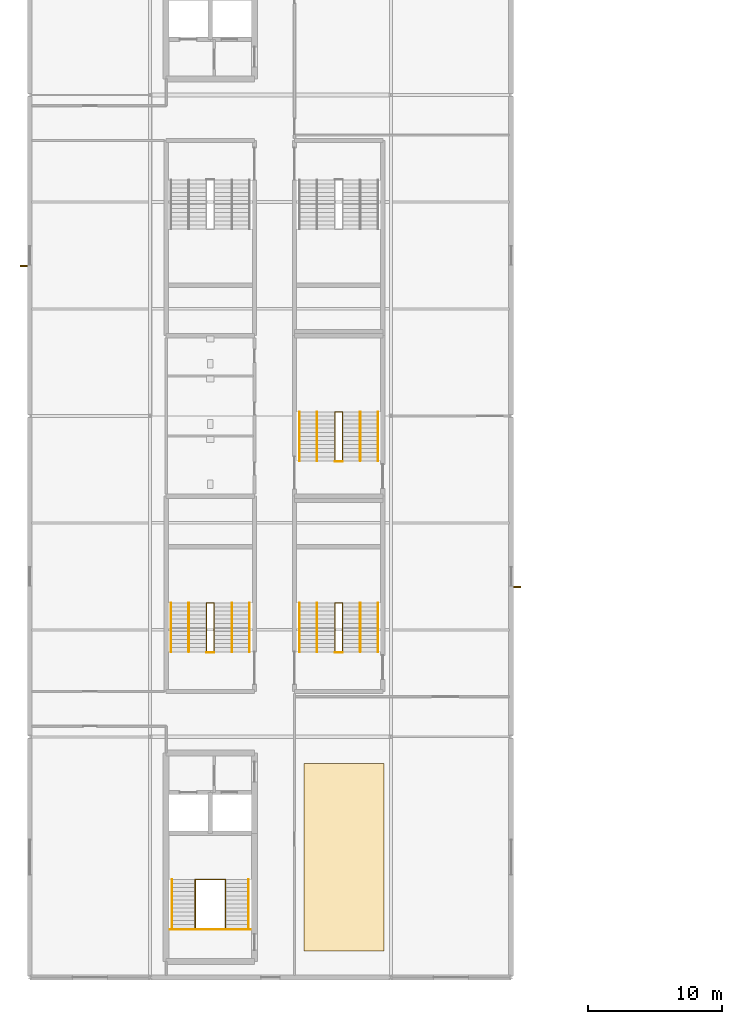
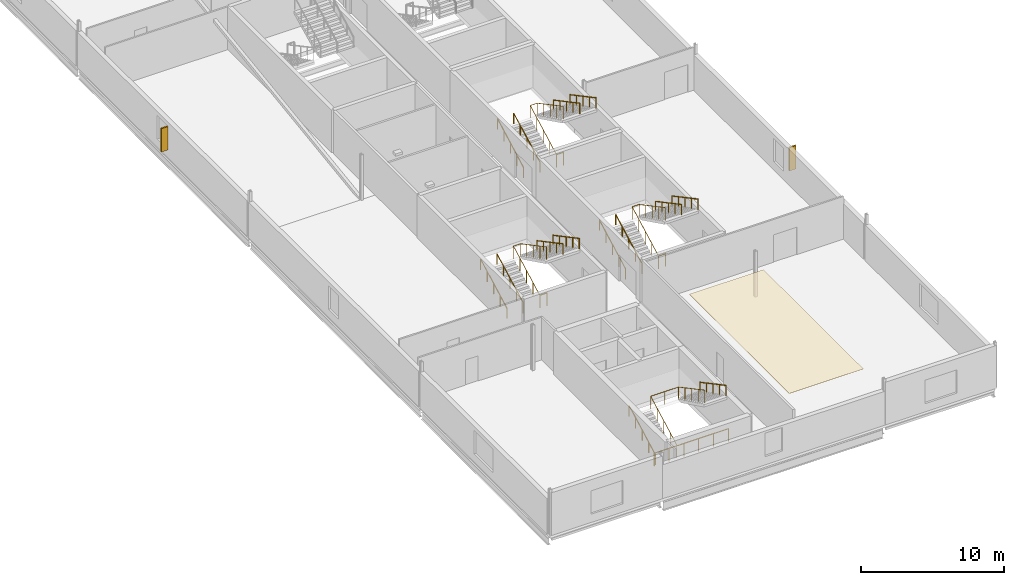
# One storey, part 31 of 35: 22 railings, 2 shading devices, 1 covering.
"""IFC4 building model written with IfcOpenShell, lengths in metres."""

import ifcopenshell
import ifcopenshell.guid

model = None  # the IFC model being written
_history = None  # IfcOwnerHistory: only IFC2X3 demands one
_inside = {}  # id of a spatial element -> (the spatial element, [elements in it])
_under = {}  # id of a project, library or spatial element -> (it, [spatial elements below it])
_declared = {}  # id of a project -> (the project, [libraries it declares])
_typed = {}  # id of a type object -> (the type object, [elements of that type])
_made_of = {}  # id of a material, layer set ... -> (it, [elements and type objects made of it])


def new_model(schema):
    """Start an empty IFC model of exactly this schema.

    Asked for "IFC4X3", IfcOpenShell would pick the latest addendum, in which some entities
    have other attributes; the version numbers below select the first issue.
    IFC2X3 requires an IfcOwnerHistory on every rooted entity: one is made here for all.
    """
    global model, _history
    if schema == "IFC4X3":
        model = ifcopenshell.file(schema_version=(4, 3, 0, 0))
    else:
        model = ifcopenshell.file(schema=schema)
    _inside.clear()
    _under.clear()
    _declared.clear()
    _typed.clear()
    _made_of.clear()
    _history = None
    if model.schema == "IFC2X3":
        org = make("IfcOrganization", Name="unknown")
        user = make(
            "IfcPersonAndOrganization",
            ThePerson=make("IfcPerson", FamilyName="unknown"),
            TheOrganization=org,
        )
        app = make(
            "IfcApplication",
            ApplicationDeveloper=org,
            Version="unknown",
            ApplicationFullName="unknown",
            ApplicationIdentifier="unknown",
        )
        _history = make(
            "IfcOwnerHistory",
            OwningUser=user,
            OwningApplication=app,
            ChangeAction="ADDED",
            CreationDate=0,
        )
    return model


def make(cls, **values):
    """One entity of the class cls with the attributes given. An attribute that is None is left unset."""
    return model.create_entity(
        cls, **{name: value for name, value in values.items() if value is not None}
    )


def rooted(cls, **values):
    """An entity with a GlobalId (a new one), such as an element, a storey or a relation."""
    return make(cls, GlobalId=ifcopenshell.guid.new(), OwnerHistory=_history, **values)


def si_unit(unit_type, name, prefix=None):
    """IfcSIUnit, for example si_unit("LENGTHUNIT", "METRE", prefix="MILLI")."""
    return make("IfcSIUnit", UnitType=unit_type, Prefix=prefix, Name=name)


def assignment(units):
    """IfcUnitAssignment: the units of a project."""
    return None if units is None else make("IfcUnitAssignment", Units=units)


def point(xyz):
    """IfcCartesianPoint."""
    return None if xyz is None else make("IfcCartesianPoint", Coordinates=xyz)


def direction(xyz):
    """IfcDirection."""
    return None if xyz is None else make("IfcDirection", DirectionRatios=xyz)


def frame(location, z_axis=None, x_axis=None):
    """IfcAxis2Placement3D, a coordinate frame: its origin and axes. An axis left out is left unset."""
    return make(
        "IfcAxis2Placement3D",
        Location=point(location),
        Axis=direction(z_axis),
        RefDirection=direction(x_axis),
    )


def frame_2d(location, x_axis=None):
    """IfcAxis2Placement2D, a coordinate frame in the plane: its origin and x axis."""
    return make(
        "IfcAxis2Placement2D", Location=point(location), RefDirection=direction(x_axis)
    )


def origin():
    """The frame at (0, 0, 0) with its axes left unset."""
    return frame((0.0, 0.0, 0.0))


def origin_2d():
    """The frame at (0, 0) in the plane with its x axis left unset."""
    return frame_2d((0.0, 0.0))


def place(relative_to, where):
    """IfcLocalPlacement: puts the frame where relative to a parent placement (None: the world)."""
    return make(
        "IfcLocalPlacement", PlacementRelTo=relative_to, RelativePlacement=where
    )


def context(
    kind, dimensions, precision=None, world=None, true_north=None, identifier=None
):
    """IfcGeometricRepresentationContext, for example the 3D "Model" context."""
    return make(
        "IfcGeometricRepresentationContext",
        ContextIdentifier=identifier,
        ContextType=kind,
        CoordinateSpaceDimension=dimensions,
        Precision=precision,
        WorldCoordinateSystem=world,
        TrueNorth=true_north,
    )


def subcontext(parent, identifier, kind, view, scale=None):
    """IfcGeometricRepresentationSubContext, for example "Body" below "Model"."""
    return make(
        "IfcGeometricRepresentationSubContext",
        ContextIdentifier=identifier,
        ContextType=kind,
        ParentContext=parent,
        TargetScale=scale,
        TargetView=view,
    )


def project(units=None, contexts=None):
    """IfcProject with its units and contexts."""
    return rooted(
        "IfcProject",
        Name="project",
        RepresentationContexts=contexts,
        UnitsInContext=assignment(units),
    )


def spatial(cls, under=None, at=None, **own):
    """A site, building, storey or space (cls), placed at a placement, below another one or the project."""
    s = rooted(cls, ObjectPlacement=at, **own)
    if under is not None:
        _under.setdefault(under.id(), (under, []))[1].append(s)
    return s


def polyline(points):
    """IfcPolyline through the points."""
    return make("IfcPolyline", Points=[point(p) for p in points])


def profile(cls, at=None, kind="AREA", **sizes):
    """A parametric profile (cls). Its sizes go by their IFC names, for example OverallWidth=200.0."""
    return make(cls, ProfileType=kind, Position=at, **sizes)


def rectangle(**sizes):
    """IfcRectangleProfileDef."""
    return profile("IfcRectangleProfileDef", **sizes)


def circle(**sizes):
    """IfcCircleProfileDef."""
    return profile("IfcCircleProfileDef", **sizes)


def outline(outer, holes=None, kind="AREA"):
    """IfcArbitraryClosedProfileDef: a profile drawn as a closed curve; with holes, ...WithVoids."""
    if holes is None:
        return make("IfcArbitraryClosedProfileDef", ProfileType=kind, OuterCurve=outer)
    return make(
        "IfcArbitraryProfileDefWithVoids",
        ProfileType=kind,
        OuterCurve=outer,
        InnerCurves=holes,
    )


def extrude(swept, where, along, depth):
    """IfcExtrudedAreaSolid: the profile swept, set in the frame where, extruded along a direction by depth."""
    return make(
        "IfcExtrudedAreaSolid",
        SweptArea=swept,
        Position=where,
        ExtrudedDirection=direction(along),
        Depth=depth,
    )


def shape(context_of_items, identifier, shape_type, items):
    """IfcShapeRepresentation: the items that make up one representation, for example the "Body"."""
    return make(
        "IfcShapeRepresentation",
        ContextOfItems=context_of_items,
        RepresentationIdentifier=identifier,
        RepresentationType=shape_type,
        Items=items,
    )


def material(Name=None, Category=None):
    """IfcMaterial."""
    return make("IfcMaterial", Name=Name, Category=Category)


def layer(
    of_material, thickness, ventilated=None, Name=None, Category=None, Priority=None
):
    """IfcMaterialLayer: one layer of a wall or slab, of a material (None: an air gap)."""
    return make(
        "IfcMaterialLayer",
        Material=of_material,
        LayerThickness=thickness,
        IsVentilated=ventilated,
        Name=Name,
        Category=Category,
        Priority=Priority,
    )


def layer_set(layers, Name=None):
    """IfcMaterialLayerSet."""
    return make("IfcMaterialLayerSet", MaterialLayers=layers, LayerSetName=Name)


def made_of(thing, what):
    """Note that an element or type object is made of a material, layer set ...; save() writes the relation."""
    if what is not None:
        _made_of.setdefault(what.id(), (what, []))[1].append(thing)
    return thing


def type_object(cls, material=None, **own):
    """A type object (cls), such as IfcWallType, which elements share."""
    return made_of(rooted(cls, **own), material)


def element(
    cls,
    number,
    at=None,
    inside=None,
    cuts=None,
    type_object=None,
    material=None,
    context=None,
    identifier="Body",
    shape_type=None,
    held_by="IfcProductDefinitionShape",
    body=None,
    shapes=None,
    **own,
):
    """One element of the class cls, such as IfcWall. Its Tag is "e" and its number.

    at: its placement. inside: the storey or other place that contains it. cuts: it is an
    opening in that element (IfcRelVoidsElement). A single representation is given by context,
    identifier, shape_type and body (its items); several are given by shapes. held_by: the class
    of the entity that holds the representations. save() writes the other relations.
    """
    e = rooted(cls, Tag="e%d" % number, ObjectPlacement=at, **own)
    if body is not None:
        shapes = [shape(context, identifier, shape_type, body)]
    if shapes is not None:
        e.Representation = make(held_by, Representations=shapes)
    if inside is not None:
        _inside.setdefault(inside.id(), (inside, []))[1].append(e)
    if cuts is not None:
        rooted(
            "IfcRelVoidsElement", RelatingBuildingElement=cuts, RelatedOpeningElement=e
        )
    if type_object is not None:
        _typed.setdefault(type_object.id(), (type_object, []))[1].append(e)
    return made_of(e, material)


def aggregate(whole, parts):
    """IfcRelAggregates: a whole, such as a stair, and the parts it consists of."""
    return rooted("IfcRelAggregates", RelatingObject=whole, RelatedObjects=parts)


def save(model, path):
    """Write the relations noted so far, then the file.

    IfcRelAggregates (storeys below a building ...), IfcRelContainedInSpatialStructure (elements
    in a storey), IfcRelDefinesByType, IfcRelAssociatesMaterial and IfcRelDeclares: one each for
    every whole, place, type object, material and project.
    """
    for whole, parts in _under.values():
        aggregate(whole, parts)
    for where, things in _inside.values():
        rooted(
            "IfcRelContainedInSpatialStructure",
            RelatedElements=things,
            RelatingStructure=where,
        )
    for kind, things in _typed.values():
        rooted("IfcRelDefinesByType", RelatedObjects=things, RelatingType=kind)
    for what, things in _made_of.values():
        rooted("IfcRelAssociatesMaterial", RelatedObjects=things, RelatingMaterial=what)
    for by, libraries in _declared.values():
        rooted("IfcRelDeclares", RelatingContext=by, RelatedDefinitions=libraries)
    model.write(path)


model = new_model("IFC4")

# Units and contexts
model_context = context("Model", 3, precision=1e-05, world=origin(), true_north=direction((0.0, 1.0)))
body_context = subcontext(model_context, "Body", "Model", "MODEL_VIEW")
ifc_project = project(units=[si_unit("LENGTHUNIT", "METRE"), si_unit("AREAUNIT", "SQUARE_METRE"), si_unit("VOLUMEUNIT", "CUBIC_METRE"), si_unit("PLANEANGLEUNIT", "RADIAN"), si_unit("MASSUNIT", "GRAM", prefix="KILO")], contexts=[model_context])

# Site, building, storey
site_placement = place(None, origin())
site = spatial("IfcSite", under=ifc_project, at=site_placement, CompositionType="ELEMENT")
building_placement = place(site_placement, origin())
building = spatial("IfcBuilding", under=site, at=building_placement, Name="Kisiwana Market Hall", CompositionType="ELEMENT")
storey_placement = place(building_placement, frame((0.0, 0.0, 57.89990234375)))
storey = spatial("IfcBuildingStorey", under=building, at=storey_placement, Name="L13", CompositionType="ELEMENT", Elevation=57.89990234375)

# Covering
ifc_material_1 = material(Name="Mineral-fibre acoustic ceiling board")
ifc_layer = layer(ifc_material_1, 0.02490234375)
ifc_layer_set = layer_set([ifc_layer], Name="COV-CEIL-AC")
covering_type = type_object("IfcCoveringType", Name="COV-CEIL-AC", PredefinedType="CEILING", material=ifc_layer_set)
covering_placement = place(storey_placement, frame((0.0, 0.0, 3.630126953125)))
element("IfcCovering", 1, at=covering_placement, inside=storey, type_object=covering_type, Name="Acoustic ceiling grid L13-029", PredefinedType="CEILING", context=body_context, shape_type="SweptSolid", body=[
    extrude(outline(polyline([(20.5, 20.0), (26.5, 20.0), (26.5, 34.0), (20.5, 34.0), (20.5, 20.0)])), origin(), (0.0, 0.0, 1.0), 0.02490234375),
])

# Railings
ifc_material_2 = material(Name="Steel S275", Category="steel")
railing_type_1 = type_object("IfcRailingType", Name="RL-GUARD-1100", PredefinedType="GUARDRAIL", material=ifc_material_2)
railing_1_placement = place(storey_placement, frame((12.375, 21.674560546875, 0.0)))
element("IfcRailing", 2, at=railing_1_placement, inside=storey, type_object=railing_type_1, Name="Stair ST-W2-L13 inner-well guardrail (RL-1511)", PredefinedType="GUARDRAIL", context=body_context, shape_type="SweptSolid", body=[
    extrude(circle(Radius=0.02392578125, at=origin_2d()), frame((0.0, 0.0, 1.076171875), z_axis=(0.0, 0.882528880096, 0.470258201201), x_axis=(-1.0, 0.0, 0.0)), (0.0, 0.0, 1.0), 4.14697265625),
    extrude(circle(Radius=0.02392578125, at=origin_2d()), frame((0.0, 3.659912109375, 3.0263671875), z_axis=(1.0, 0.0, 0.0), x_axis=(0.0, 1.0, 0.0)), (0.0, 0.0, 1.0), 2.25),
    extrude(circle(Radius=0.02392578125, at=origin_2d()), frame((2.25, 3.659912109375, 3.0263671875), z_axis=(0.0, -0.88255331184, 0.47021234752), x_axis=(1.0, 0.0, 0.0)), (0.0, 0.0, 1.0), 4.14697265625),
    extrude(circle(Radius=0.02099609375, at=origin_2d()), origin(), (0.0, 0.0, 1.0), 1.052001953125),
    extrude(circle(Radius=0.02099609375, at=origin_2d()), frame((0.0, 0.9150390625, 0.487548828125)), (0.0, 0.0, 1.0), 1.052001953125),
    extrude(circle(Radius=0.02099609375, at=origin_2d()), frame((0.0, 1.830078125, 0.97509765625)), (0.0, 0.0, 1.0), 1.052001953125),
    extrude(circle(Radius=0.02099609375, at=origin_2d()), frame((0.0, 2.744873046875, 1.462646484375)), (0.0, 0.0, 1.0), 1.052001953125),
    extrude(circle(Radius=0.02099609375, at=origin_2d()), frame((0.0, 3.659912109375, 1.9501953125)), (0.0, 0.0, 1.0), 1.052001953125),
    extrude(circle(Radius=0.02099609375, at=origin_2d()), frame((1.125, 3.659912109375, 1.9501953125)), (0.0, 0.0, 1.0), 1.052001953125),
    extrude(circle(Radius=0.02099609375, at=origin_2d()), frame((2.25, 3.659912109375, 1.9501953125)), (0.0, 0.0, 1.0), 1.052001953125),
    extrude(circle(Radius=0.02099609375, at=origin_2d()), frame((2.25, 2.744873046875, 2.437744140625)), (0.0, 0.0, 1.0), 1.052001953125),
    extrude(circle(Radius=0.02099609375, at=origin_2d()), frame((2.25, 1.830078125, 2.92529296875)), (0.0, 0.0, 1.0), 1.052001953125),
    extrude(circle(Radius=0.02099609375, at=origin_2d()), frame((2.25, 0.9150390625, 3.41259765625)), (0.0, 0.0, 1.0), 1.052001953125),
    extrude(circle(Radius=0.02099609375, at=origin_2d()), frame((2.25, 0.0, 3.900146484375)), (0.0, 0.0, 1.0), 1.052001953125),
])
railing_2_placement = place(storey_placement, frame((10.5048828125, 21.594482421875, 0.0)))
element("IfcRailing", 3, at=railing_2_placement, inside=storey, type_object=railing_type_1, Name="Stair ST-W2-L13 landing edge guardrail (RL-1514)", PredefinedType="GUARDRAIL", context=body_context, shape_type="SweptSolid", body=[
    extrude(circle(Radius=0.02392578125, at=origin_2d()), frame((0.0, 0.0, 1.076171875), z_axis=(1.0, 0.0, 0.0), x_axis=(0.0, 1.0, 0.0)), (0.0, 0.0, 1.0), 5.990234375),
    extrude(circle(Radius=0.02099609375, at=origin_2d()), origin(), (0.0, 0.0, 1.0), 1.052001953125),
    extrude(circle(Radius=0.02099609375, at=origin_2d()), frame((1.197998046875, 0.0, 0.0)), (0.0, 0.0, 1.0), 1.052001953125),
    extrude(circle(Radius=0.02099609375, at=origin_2d()), frame((2.39599609375, 0.0, 0.0)), (0.0, 0.0, 1.0), 1.052001953125),
    extrude(circle(Radius=0.02099609375, at=origin_2d()), frame((3.59423828125, 0.0, 0.0)), (0.0, 0.0, 1.0), 1.052001953125),
    extrude(circle(Radius=0.02099609375, at=origin_2d()), frame((4.792236328125, 0.0, 0.0)), (0.0, 0.0, 1.0), 1.052001953125),
    extrude(circle(Radius=0.02099609375, at=origin_2d()), frame((5.990234375, 0.0, 0.0)), (0.0, 0.0, 1.0), 1.052001953125),
])
railing_3_placement = place(storey_placement, frame((13.219970703125, 42.360107421875, 0.0)))
element("IfcRailing", 4, at=railing_3_placement, inside=storey, type_object=railing_type_1, Name="Stair ST-W3-L13 inner-well guardrail (RL-1527)", PredefinedType="GUARDRAIL", context=body_context, shape_type="SweptSolid", body=[
    extrude(circle(Radius=0.02392578125, at=origin_2d()), frame((0.0, 0.0, 1.076171875), z_axis=(0.0, 0.882528880096, 0.470258201201), x_axis=(-1.0, 0.0, 0.0)), (0.0, 0.0, 1.0), 4.14697265625),
    extrude(circle(Radius=0.02392578125, at=origin_2d()), frame((0.0, 3.659912109375, 3.0263671875), z_axis=(1.0, 0.0, 0.0), x_axis=(0.0, 1.0, 0.0)), (0.0, 0.0, 1.0), 0.56005859375),
    extrude(circle(Radius=0.02392578125, at=origin_2d()), frame((0.56005859375, 3.659912109375, 3.0263671875), z_axis=(0.0, -0.88255331184, 0.47021234752), x_axis=(1.0, 0.0, 0.0)), (0.0, 0.0, 1.0), 4.14697265625),
    extrude(circle(Radius=0.02099609375, at=origin_2d()), origin(), (0.0, 0.0, 1.0), 1.052001953125),
    extrude(circle(Radius=0.02099609375, at=origin_2d()), frame((0.0, 0.9150390625, 0.487548828125)), (0.0, 0.0, 1.0), 1.052001953125),
    extrude(circle(Radius=0.02099609375, at=origin_2d()), frame((0.0, 1.830078125, 0.97509765625)), (0.0, 0.0, 1.0), 1.052001953125),
    extrude(circle(Radius=0.02099609375, at=origin_2d()), frame((0.0, 2.744873046875, 1.462646484375)), (0.0, 0.0, 1.0), 1.052001953125),
    extrude(circle(Radius=0.02099609375, at=origin_2d()), frame((0.0, 3.659912109375, 1.9501953125)), (0.0, 0.0, 1.0), 1.052001953125),
    extrude(circle(Radius=0.02099609375, at=origin_2d()), frame((0.56005859375, 3.659912109375, 1.9501953125)), (0.0, 0.0, 1.0), 1.052001953125),
    extrude(circle(Radius=0.02099609375, at=origin_2d()), frame((0.56005859375, 2.744873046875, 2.437744140625)), (0.0, 0.0, 1.0), 1.052001953125),
    extrude(circle(Radius=0.02099609375, at=origin_2d()), frame((0.56005859375, 1.830078125, 2.92529296875)), (0.0, 0.0, 1.0), 1.052001953125),
    extrude(circle(Radius=0.02099609375, at=origin_2d()), frame((0.56005859375, 0.9150390625, 3.41259765625)), (0.0, 0.0, 1.0), 1.052001953125),
    extrude(circle(Radius=0.02099609375, at=origin_2d()), frame((0.56005859375, 0.0, 3.900146484375)), (0.0, 0.0, 1.0), 1.052001953125),
])
railing_4_placement = place(storey_placement, frame((13.219970703125, 42.31005859375, 0.0)))
element("IfcRailing", 5, at=railing_4_placement, inside=storey, type_object=railing_type_1, Name="Stair ST-W3-L13 landing edge guardrail (RL-1532)", PredefinedType="GUARDRAIL", context=body_context, shape_type="SweptSolid", body=[
    extrude(circle(Radius=0.02392578125, at=origin_2d()), frame((0.0, 0.0, 1.076171875), z_axis=(1.0, 0.0, 0.0), x_axis=(0.0, 1.0, 0.0)), (0.0, 0.0, 1.0), 0.56005859375),
    extrude(circle(Radius=0.02099609375, at=origin_2d()), origin(), (0.0, 0.0, 1.0), 1.052001953125),
    extrude(circle(Radius=0.02099609375, at=origin_2d()), frame((0.56005859375, 0.0, 0.0)), (0.0, 0.0, 1.0), 1.052001953125),
])
railing_5_placement = place(storey_placement, frame((22.820068359375, 42.360107421875, 0.0)))
element("IfcRailing", 6, at=railing_5_placement, inside=storey, type_object=railing_type_1, Name="Stair ST-W7-L13 inner-well guardrail (RL-1551)", PredefinedType="GUARDRAIL", context=body_context, shape_type="SweptSolid", body=[
    extrude(circle(Radius=0.02392578125, at=origin_2d()), frame((0.0, 0.0, 1.076171875), z_axis=(0.0, 0.882528880096, 0.470258201201), x_axis=(-1.0, 0.0, 0.0)), (0.0, 0.0, 1.0), 4.14697265625),
    extrude(circle(Radius=0.02392578125, at=origin_2d()), frame((0.0, 3.659912109375, 3.0263671875), z_axis=(1.0, 0.0, 0.0), x_axis=(0.0, 1.0, 0.0)), (0.0, 0.0, 1.0), 0.559814453125),
    extrude(circle(Radius=0.02392578125, at=origin_2d()), frame((0.559814453125, 3.659912109375, 3.0263671875), z_axis=(0.0, -0.88255331184, 0.47021234752), x_axis=(1.0, 0.0, 0.0)), (0.0, 0.0, 1.0), 4.14697265625),
    extrude(circle(Radius=0.02099609375, at=origin_2d()), origin(), (0.0, 0.0, 1.0), 1.052001953125),
    extrude(circle(Radius=0.02099609375, at=origin_2d()), frame((0.0, 0.9150390625, 0.487548828125)), (0.0, 0.0, 1.0), 1.052001953125),
    extrude(circle(Radius=0.02099609375, at=origin_2d()), frame((0.0, 1.830078125, 0.97509765625)), (0.0, 0.0, 1.0), 1.052001953125),
    extrude(circle(Radius=0.02099609375, at=origin_2d()), frame((0.0, 2.744873046875, 1.462646484375)), (0.0, 0.0, 1.0), 1.052001953125),
    extrude(circle(Radius=0.02099609375, at=origin_2d()), frame((0.0, 3.659912109375, 1.9501953125)), (0.0, 0.0, 1.0), 1.052001953125),
    extrude(circle(Radius=0.02099609375, at=origin_2d()), frame((0.559814453125, 3.659912109375, 1.9501953125)), (0.0, 0.0, 1.0), 1.052001953125),
    extrude(circle(Radius=0.02099609375, at=origin_2d()), frame((0.559814453125, 2.744873046875, 2.437744140625)), (0.0, 0.0, 1.0), 1.052001953125),
    extrude(circle(Radius=0.02099609375, at=origin_2d()), frame((0.559814453125, 1.830078125, 2.92529296875)), (0.0, 0.0, 1.0), 1.052001953125),
    extrude(circle(Radius=0.02099609375, at=origin_2d()), frame((0.559814453125, 0.9150390625, 3.41259765625)), (0.0, 0.0, 1.0), 1.052001953125),
    extrude(circle(Radius=0.02099609375, at=origin_2d()), frame((0.559814453125, 0.0, 3.900146484375)), (0.0, 0.0, 1.0), 1.052001953125),
])
railing_6_placement = place(storey_placement, frame((22.820068359375, 42.31005859375, 0.0)))
element("IfcRailing", 7, at=railing_6_placement, inside=storey, type_object=railing_type_1, Name="Stair ST-W7-L13 landing edge guardrail (RL-1556)", PredefinedType="GUARDRAIL", context=body_context, shape_type="SweptSolid", body=[
    extrude(circle(Radius=0.02392578125, at=origin_2d()), frame((0.0, 0.0, 1.076171875), z_axis=(1.0, 0.0, 0.0), x_axis=(0.0, 1.0, 0.0)), (0.0, 0.0, 1.0), 0.559814453125),
    extrude(circle(Radius=0.02099609375, at=origin_2d()), origin(), (0.0, 0.0, 1.0), 1.052001953125),
    extrude(circle(Radius=0.02099609375, at=origin_2d()), frame((0.559814453125, 0.0, 0.0)), (0.0, 0.0, 1.0), 1.052001953125),
])
railing_7_placement = place(storey_placement, frame((22.820068359375, 56.639892578125, 0.0)))
element("IfcRailing", 8, at=railing_7_placement, inside=storey, type_object=railing_type_1, Name="Stair ST-W5-L13 inner-well guardrail (RL-1575)", PredefinedType="GUARDRAIL", context=body_context, shape_type="SweptSolid", body=[
    extrude(circle(Radius=0.02392578125, at=origin_2d()), frame((0.0, 0.0, 1.076171875), z_axis=(0.0, 0.882541897885, 0.470233770031), x_axis=(-1.0, 0.0, 0.0)), (0.0, 0.0, 1.0), 4.147216796875),
    extrude(circle(Radius=0.02392578125, at=origin_2d()), frame((0.0, 3.66015625, 3.0263671875), z_axis=(1.0, 0.0, 0.0), x_axis=(0.0, 1.0, 0.0)), (0.0, 0.0, 1.0), 0.559814453125),
    extrude(circle(Radius=0.02392578125, at=origin_2d()), frame((0.559814453125, 3.66015625, 3.0263671875), z_axis=(0.0, -0.882566327451, 0.470187917379), x_axis=(1.0, 0.0, 0.0)), (0.0, 0.0, 1.0), 4.147216796875),
    extrude(circle(Radius=0.02099609375, at=origin_2d()), origin(), (0.0, 0.0, 1.0), 1.052001953125),
    extrude(circle(Radius=0.02099609375, at=origin_2d()), frame((0.0, 0.9150390625, 0.487548828125)), (0.0, 0.0, 1.0), 1.052001953125),
    extrude(circle(Radius=0.02099609375, at=origin_2d()), frame((0.0, 1.830078125, 0.97509765625)), (0.0, 0.0, 1.0), 1.052001953125),
    extrude(circle(Radius=0.02099609375, at=origin_2d()), frame((0.0, 2.7451171875, 1.462646484375)), (0.0, 0.0, 1.0), 1.052001953125),
    extrude(circle(Radius=0.02099609375, at=origin_2d()), frame((0.0, 3.66015625, 1.9501953125)), (0.0, 0.0, 1.0), 1.052001953125),
    extrude(circle(Radius=0.02099609375, at=origin_2d()), frame((0.559814453125, 3.66015625, 1.9501953125)), (0.0, 0.0, 1.0), 1.052001953125),
    extrude(circle(Radius=0.02099609375, at=origin_2d()), frame((0.559814453125, 2.7451171875, 2.437744140625)), (0.0, 0.0, 1.0), 1.052001953125),
    extrude(circle(Radius=0.02099609375, at=origin_2d()), frame((0.559814453125, 1.830078125, 2.92529296875)), (0.0, 0.0, 1.0), 1.052001953125),
    extrude(circle(Radius=0.02099609375, at=origin_2d()), frame((0.559814453125, 0.9150390625, 3.41259765625)), (0.0, 0.0, 1.0), 1.052001953125),
    extrude(circle(Radius=0.02099609375, at=origin_2d()), frame((0.559814453125, 0.0, 3.900146484375)), (0.0, 0.0, 1.0), 1.052001953125),
])
railing_8_placement = place(storey_placement, frame((22.820068359375, 56.590087890625, 0.0)))
element("IfcRailing", 9, at=railing_8_placement, inside=storey, type_object=railing_type_1, Name="Stair ST-W5-L13 landing edge guardrail (RL-1580)", PredefinedType="GUARDRAIL", context=body_context, shape_type="SweptSolid", body=[
    extrude(circle(Radius=0.02392578125, at=origin_2d()), frame((0.0, 0.0, 1.076171875), z_axis=(1.0, 0.0, 0.0), x_axis=(0.0, 1.0, 0.0)), (0.0, 0.0, 1.0), 0.559814453125),
    extrude(circle(Radius=0.02099609375, at=origin_2d()), origin(), (0.0, 0.0, 1.0), 1.052001953125),
    extrude(circle(Radius=0.02099609375, at=origin_2d()), frame((0.559814453125, 0.0, 0.0)), (0.0, 0.0, 1.0), 1.052001953125),
])
ifc_material_3 = material(Name="Steel S275", Category="steel")
railing_type_2 = type_object("IfcRailingType", Name="RL-HAND-900", PredefinedType="HANDRAIL", material=ifc_material_3)
railing_9_placement = place(storey_placement, frame((10.635009765625, 21.674560546875, 0.0)))
element("IfcRailing", 10, at=railing_9_placement, inside=storey, type_object=railing_type_2, Name="Stair ST-W2-L13 flight 1 handrail (RL-1512)", PredefinedType="HANDRAIL", context=body_context, shape_type="SweptSolid", body=[
    extrude(circle(Radius=0.02392578125, at=origin_2d()), frame((0.0, 0.0, 0.8759765625), z_axis=(0.0, 0.882528880096, 0.470258201201), x_axis=(-1.0, 0.0, 0.0)), (0.0, 0.0, 1.0), 4.14697265625),
    extrude(circle(Radius=0.02099609375, at=origin_2d()), origin(), (0.0, 0.0, 1.0), 0.851806640625),
    extrude(circle(Radius=0.02099609375, at=origin_2d()), frame((0.0, 0.9150390625, 0.487548828125)), (0.0, 0.0, 1.0), 0.851806640625),
    extrude(circle(Radius=0.02099609375, at=origin_2d()), frame((0.0, 1.830078125, 0.97509765625)), (0.0, 0.0, 1.0), 0.851806640625),
    extrude(circle(Radius=0.02099609375, at=origin_2d()), frame((0.0, 2.744873046875, 1.462646484375)), (0.0, 0.0, 1.0), 0.851806640625),
    extrude(circle(Radius=0.02099609375, at=origin_2d()), frame((0.0, 3.659912109375, 1.9501953125)), (0.0, 0.0, 1.0), 0.851806640625),
])
railing_10_placement = place(storey_placement, frame((16.364990234375, 25.33447265625, 1.9501953125)))
element("IfcRailing", 11, at=railing_10_placement, inside=storey, type_object=railing_type_2, Name="Stair ST-W2-L13 flight 2 handrail (RL-1513)", PredefinedType="HANDRAIL", context=body_context, shape_type="SweptSolid", body=[
    extrude(circle(Radius=0.02392578125, at=origin_2d()), frame((0.0, 0.0, 0.8759765625), z_axis=(0.0, -0.88255331184, 0.47021234752), x_axis=(1.0, 0.0, 0.0)), (0.0, 0.0, 1.0), 4.14697265625),
    extrude(circle(Radius=0.02099609375, at=origin_2d()), origin(), (0.0, 0.0, 1.0), 0.851806640625),
    extrude(circle(Radius=0.02099609375, at=origin_2d()), frame((0.0, -0.9150390625, 0.487548828125)), (0.0, 0.0, 1.0), 0.851806640625),
    extrude(circle(Radius=0.02099609375, at=origin_2d()), frame((0.0, -1.830078125, 0.97509765625)), (0.0, 0.0, 1.0), 0.851806640625),
    extrude(circle(Radius=0.02099609375, at=origin_2d()), frame((0.0, -2.744873046875, 1.46240234375)), (0.0, 0.0, 1.0), 0.851806640625),
    extrude(circle(Radius=0.02099609375, at=origin_2d()), frame((0.0, -3.659912109375, 1.949951171875)), (0.0, 0.0, 1.0), 0.851806640625),
])
railing_11_placement = place(storey_placement, frame((10.570068359375, 42.360107421875, 0.0)))
element("IfcRailing", 12, at=railing_11_placement, inside=storey, type_object=railing_type_2, Name="Stair ST-W3-L13 flight 1 handrail (RL-1528)", PredefinedType="HANDRAIL", context=body_context, shape_type="SweptSolid", body=[
    extrude(circle(Radius=0.02392578125, at=origin_2d()), frame((0.0, 0.0, 0.8759765625), z_axis=(0.0, 0.882528880096, 0.470258201201), x_axis=(-1.0, 0.0, 0.0)), (0.0, 0.0, 1.0), 4.14697265625),
    extrude(circle(Radius=0.02099609375, at=origin_2d()), origin(), (0.0, 0.0, 1.0), 0.851806640625),
    extrude(circle(Radius=0.02099609375, at=origin_2d()), frame((0.0, 0.9150390625, 0.487548828125)), (0.0, 0.0, 1.0), 0.851806640625),
    extrude(circle(Radius=0.02099609375, at=origin_2d()), frame((0.0, 1.830078125, 0.97509765625)), (0.0, 0.0, 1.0), 0.851806640625),
    extrude(circle(Radius=0.02099609375, at=origin_2d()), frame((0.0, 2.744873046875, 1.462646484375)), (0.0, 0.0, 1.0), 0.851806640625),
    extrude(circle(Radius=0.02099609375, at=origin_2d()), frame((0.0, 3.659912109375, 1.9501953125)), (0.0, 0.0, 1.0), 0.851806640625),
])
railing_12_placement = place(storey_placement, frame((16.429931640625, 46.02001953125, 1.9501953125)))
element("IfcRailing", 13, at=railing_12_placement, inside=storey, type_object=railing_type_2, Name="Stair ST-W3-L13 flight 2 handrail (RL-1529)", PredefinedType="HANDRAIL", context=body_context, shape_type="SweptSolid", body=[
    extrude(circle(Radius=0.02392578125, at=origin_2d()), frame((0.0, 0.0, 0.8759765625), z_axis=(0.0, -0.88255331184, 0.47021234752), x_axis=(1.0, 0.0, 0.0)), (0.0, 0.0, 1.0), 4.14697265625),
    extrude(circle(Radius=0.02099609375, at=origin_2d()), origin(), (0.0, 0.0, 1.0), 0.851806640625),
    extrude(circle(Radius=0.02099609375, at=origin_2d()), frame((0.0, -0.9150390625, 0.487548828125)), (0.0, 0.0, 1.0), 0.851806640625),
    extrude(circle(Radius=0.02099609375, at=origin_2d()), frame((0.0, -1.830078125, 0.97509765625)), (0.0, 0.0, 1.0), 0.851806640625),
    extrude(circle(Radius=0.02099609375, at=origin_2d()), frame((0.0, -2.744873046875, 1.46240234375)), (0.0, 0.0, 1.0), 0.851806640625),
    extrude(circle(Radius=0.02099609375, at=origin_2d()), frame((0.0, -3.659912109375, 1.949951171875)), (0.0, 0.0, 1.0), 0.851806640625),
])
railing_13_placement = place(storey_placement, frame((11.889892578125, 42.360107421875, 0.0)))
element("IfcRailing", 14, at=railing_13_placement, inside=storey, type_object=railing_type_2, Name="Stair ST-W3-L13 flight 1 intermediate handrail (RL-1530)", PredefinedType="HANDRAIL", context=body_context, shape_type="SweptSolid", body=[
    extrude(circle(Radius=0.02392578125, at=origin_2d()), frame((0.0, 0.0, 0.8759765625), z_axis=(0.0, 0.882528880096, 0.470258201201), x_axis=(-1.0, 0.0, 0.0)), (0.0, 0.0, 1.0), 4.14697265625),
    extrude(circle(Radius=0.02099609375, at=origin_2d()), origin(), (0.0, 0.0, 1.0), 0.851806640625),
    extrude(circle(Radius=0.02099609375, at=origin_2d()), frame((0.0, 0.9150390625, 0.487548828125)), (0.0, 0.0, 1.0), 0.851806640625),
    extrude(circle(Radius=0.02099609375, at=origin_2d()), frame((0.0, 1.830078125, 0.97509765625)), (0.0, 0.0, 1.0), 0.851806640625),
    extrude(circle(Radius=0.02099609375, at=origin_2d()), frame((0.0, 2.744873046875, 1.462646484375)), (0.0, 0.0, 1.0), 0.851806640625),
    extrude(circle(Radius=0.02099609375, at=origin_2d()), frame((0.0, 3.659912109375, 1.9501953125)), (0.0, 0.0, 1.0), 0.851806640625),
])
railing_14_placement = place(storey_placement, frame((15.110107421875, 46.02001953125, 1.9501953125)))
element("IfcRailing", 15, at=railing_14_placement, inside=storey, type_object=railing_type_2, Name="Stair ST-W3-L13 flight 2 intermediate handrail (RL-1531)", PredefinedType="HANDRAIL", context=body_context, shape_type="SweptSolid", body=[
    extrude(circle(Radius=0.02392578125, at=origin_2d()), frame((0.0, 0.0, 0.8759765625), z_axis=(0.0, -0.88255331184, 0.47021234752), x_axis=(1.0, 0.0, 0.0)), (0.0, 0.0, 1.0), 4.14697265625),
    extrude(circle(Radius=0.02099609375, at=origin_2d()), origin(), (0.0, 0.0, 1.0), 0.851806640625),
    extrude(circle(Radius=0.02099609375, at=origin_2d()), frame((0.0, -0.9150390625, 0.487548828125)), (0.0, 0.0, 1.0), 0.851806640625),
    extrude(circle(Radius=0.02099609375, at=origin_2d()), frame((0.0, -1.830078125, 0.97509765625)), (0.0, 0.0, 1.0), 0.851806640625),
    extrude(circle(Radius=0.02099609375, at=origin_2d()), frame((0.0, -2.744873046875, 1.46240234375)), (0.0, 0.0, 1.0), 0.851806640625),
    extrude(circle(Radius=0.02099609375, at=origin_2d()), frame((0.0, -3.659912109375, 1.949951171875)), (0.0, 0.0, 1.0), 0.851806640625),
])
railing_15_placement = place(storey_placement, frame((20.169921875, 42.360107421875, 0.0)))
element("IfcRailing", 16, at=railing_15_placement, inside=storey, type_object=railing_type_2, Name="Stair ST-W7-L13 flight 1 handrail (RL-1552)", PredefinedType="HANDRAIL", context=body_context, shape_type="SweptSolid", body=[
    extrude(circle(Radius=0.02392578125, at=origin_2d()), frame((0.0, 0.0, 0.8759765625), z_axis=(0.0, 0.882528880096, 0.470258201201), x_axis=(-1.0, 0.0, 0.0)), (0.0, 0.0, 1.0), 4.14697265625),
    extrude(circle(Radius=0.02099609375, at=origin_2d()), origin(), (0.0, 0.0, 1.0), 0.851806640625),
    extrude(circle(Radius=0.02099609375, at=origin_2d()), frame((0.0, 0.9150390625, 0.487548828125)), (0.0, 0.0, 1.0), 0.851806640625),
    extrude(circle(Radius=0.02099609375, at=origin_2d()), frame((0.0, 1.830078125, 0.97509765625)), (0.0, 0.0, 1.0), 0.851806640625),
    extrude(circle(Radius=0.02099609375, at=origin_2d()), frame((0.0, 2.744873046875, 1.462646484375)), (0.0, 0.0, 1.0), 0.851806640625),
    extrude(circle(Radius=0.02099609375, at=origin_2d()), frame((0.0, 3.659912109375, 1.9501953125)), (0.0, 0.0, 1.0), 0.851806640625),
])
railing_16_placement = place(storey_placement, frame((26.030029296875, 46.02001953125, 1.9501953125)))
element("IfcRailing", 17, at=railing_16_placement, inside=storey, type_object=railing_type_2, Name="Stair ST-W7-L13 flight 2 handrail (RL-1553)", PredefinedType="HANDRAIL", context=body_context, shape_type="SweptSolid", body=[
    extrude(circle(Radius=0.02392578125, at=origin_2d()), frame((0.0, 0.0, 0.8759765625), z_axis=(0.0, -0.88255331184, 0.47021234752), x_axis=(1.0, 0.0, 0.0)), (0.0, 0.0, 1.0), 4.14697265625),
    extrude(circle(Radius=0.02099609375, at=origin_2d()), origin(), (0.0, 0.0, 1.0), 0.851806640625),
    extrude(circle(Radius=0.02099609375, at=origin_2d()), frame((0.0, -0.9150390625, 0.487548828125)), (0.0, 0.0, 1.0), 0.851806640625),
    extrude(circle(Radius=0.02099609375, at=origin_2d()), frame((0.0, -1.830078125, 0.97509765625)), (0.0, 0.0, 1.0), 0.851806640625),
    extrude(circle(Radius=0.02099609375, at=origin_2d()), frame((0.0, -2.744873046875, 1.46240234375)), (0.0, 0.0, 1.0), 0.851806640625),
    extrude(circle(Radius=0.02099609375, at=origin_2d()), frame((0.0, -3.659912109375, 1.949951171875)), (0.0, 0.0, 1.0), 0.851806640625),
])
railing_17_placement = place(storey_placement, frame((21.489990234375, 42.360107421875, 0.0)))
element("IfcRailing", 18, at=railing_17_placement, inside=storey, type_object=railing_type_2, Name="Stair ST-W7-L13 flight 1 intermediate handrail (RL-1554)", PredefinedType="HANDRAIL", context=body_context, shape_type="SweptSolid", body=[
    extrude(circle(Radius=0.02392578125, at=origin_2d()), frame((0.0, 0.0, 0.8759765625), z_axis=(0.0, 0.882528880096, 0.470258201201), x_axis=(-1.0, 0.0, 0.0)), (0.0, 0.0, 1.0), 4.14697265625),
    extrude(circle(Radius=0.02099609375, at=origin_2d()), origin(), (0.0, 0.0, 1.0), 0.851806640625),
    extrude(circle(Radius=0.02099609375, at=origin_2d()), frame((0.0, 0.9150390625, 0.487548828125)), (0.0, 0.0, 1.0), 0.851806640625),
    extrude(circle(Radius=0.02099609375, at=origin_2d()), frame((0.0, 1.830078125, 0.97509765625)), (0.0, 0.0, 1.0), 0.851806640625),
    extrude(circle(Radius=0.02099609375, at=origin_2d()), frame((0.0, 2.744873046875, 1.462646484375)), (0.0, 0.0, 1.0), 0.851806640625),
    extrude(circle(Radius=0.02099609375, at=origin_2d()), frame((0.0, 3.659912109375, 1.9501953125)), (0.0, 0.0, 1.0), 0.851806640625),
])
railing_18_placement = place(storey_placement, frame((24.7099609375, 46.02001953125, 1.9501953125)))
element("IfcRailing", 19, at=railing_18_placement, inside=storey, type_object=railing_type_2, Name="Stair ST-W7-L13 flight 2 intermediate handrail (RL-1555)", PredefinedType="HANDRAIL", context=body_context, shape_type="SweptSolid", body=[
    extrude(circle(Radius=0.02392578125, at=origin_2d()), frame((0.0, 0.0, 0.8759765625), z_axis=(0.0, -0.88255331184, 0.47021234752), x_axis=(1.0, 0.0, 0.0)), (0.0, 0.0, 1.0), 4.14697265625),
    extrude(circle(Radius=0.02099609375, at=origin_2d()), origin(), (0.0, 0.0, 1.0), 0.851806640625),
    extrude(circle(Radius=0.02099609375, at=origin_2d()), frame((0.0, -0.9150390625, 0.487548828125)), (0.0, 0.0, 1.0), 0.851806640625),
    extrude(circle(Radius=0.02099609375, at=origin_2d()), frame((0.0, -1.830078125, 0.97509765625)), (0.0, 0.0, 1.0), 0.851806640625),
    extrude(circle(Radius=0.02099609375, at=origin_2d()), frame((0.0, -2.744873046875, 1.46240234375)), (0.0, 0.0, 1.0), 0.851806640625),
    extrude(circle(Radius=0.02099609375, at=origin_2d()), frame((0.0, -3.659912109375, 1.949951171875)), (0.0, 0.0, 1.0), 0.851806640625),
])
railing_19_placement = place(storey_placement, frame((20.169921875, 56.639892578125, 0.0)))
element("IfcRailing", 20, at=railing_19_placement, inside=storey, type_object=railing_type_2, Name="Stair ST-W5-L13 flight 1 handrail (RL-1576)", PredefinedType="HANDRAIL", context=body_context, shape_type="SweptSolid", body=[
    extrude(circle(Radius=0.02392578125, at=origin_2d()), frame((0.0, 0.0, 0.8759765625), z_axis=(0.0, 0.882541897885, 0.470233770031), x_axis=(-1.0, 0.0, 0.0)), (0.0, 0.0, 1.0), 4.147216796875),
    extrude(circle(Radius=0.02099609375, at=origin_2d()), origin(), (0.0, 0.0, 1.0), 0.851806640625),
    extrude(circle(Radius=0.02099609375, at=origin_2d()), frame((0.0, 0.9150390625, 0.487548828125)), (0.0, 0.0, 1.0), 0.851806640625),
    extrude(circle(Radius=0.02099609375, at=origin_2d()), frame((0.0, 1.830078125, 0.97509765625)), (0.0, 0.0, 1.0), 0.851806640625),
    extrude(circle(Radius=0.02099609375, at=origin_2d()), frame((0.0, 2.7451171875, 1.462646484375)), (0.0, 0.0, 1.0), 0.851806640625),
    extrude(circle(Radius=0.02099609375, at=origin_2d()), frame((0.0, 3.66015625, 1.9501953125)), (0.0, 0.0, 1.0), 0.851806640625),
])
railing_20_placement = place(storey_placement, frame((26.030029296875, 60.300048828125, 1.9501953125)))
element("IfcRailing", 21, at=railing_20_placement, inside=storey, type_object=railing_type_2, Name="Stair ST-W5-L13 flight 2 handrail (RL-1577)", PredefinedType="HANDRAIL", context=body_context, shape_type="SweptSolid", body=[
    extrude(circle(Radius=0.02392578125, at=origin_2d()), frame((0.0, 0.0, 0.8759765625), z_axis=(0.0, -0.882566327451, 0.470187917379), x_axis=(1.0, 0.0, 0.0)), (0.0, 0.0, 1.0), 4.147216796875),
    extrude(circle(Radius=0.02099609375, at=origin_2d()), origin(), (0.0, 0.0, 1.0), 0.851806640625),
    extrude(circle(Radius=0.02099609375, at=origin_2d()), frame((0.0, -0.9150390625, 0.487548828125)), (0.0, 0.0, 1.0), 0.851806640625),
    extrude(circle(Radius=0.02099609375, at=origin_2d()), frame((0.0, -1.830078125, 0.97509765625)), (0.0, 0.0, 1.0), 0.851806640625),
    extrude(circle(Radius=0.02099609375, at=origin_2d()), frame((0.0, -2.7451171875, 1.46240234375)), (0.0, 0.0, 1.0), 0.851806640625),
    extrude(circle(Radius=0.02099609375, at=origin_2d()), frame((0.0, -3.66015625, 1.949951171875)), (0.0, 0.0, 1.0), 0.851806640625),
])
railing_21_placement = place(storey_placement, frame((21.489990234375, 56.639892578125, 0.0)))
element("IfcRailing", 22, at=railing_21_placement, inside=storey, type_object=railing_type_2, Name="Stair ST-W5-L13 flight 1 intermediate handrail (RL-1578)", PredefinedType="HANDRAIL", context=body_context, shape_type="SweptSolid", body=[
    extrude(circle(Radius=0.02392578125, at=origin_2d()), frame((0.0, 0.0, 0.8759765625), z_axis=(0.0, 0.882541897885, 0.470233770031), x_axis=(-1.0, 0.0, 0.0)), (0.0, 0.0, 1.0), 4.147216796875),
    extrude(circle(Radius=0.02099609375, at=origin_2d()), origin(), (0.0, 0.0, 1.0), 0.851806640625),
    extrude(circle(Radius=0.02099609375, at=origin_2d()), frame((0.0, 0.9150390625, 0.487548828125)), (0.0, 0.0, 1.0), 0.851806640625),
    extrude(circle(Radius=0.02099609375, at=origin_2d()), frame((0.0, 1.830078125, 0.97509765625)), (0.0, 0.0, 1.0), 0.851806640625),
    extrude(circle(Radius=0.02099609375, at=origin_2d()), frame((0.0, 2.7451171875, 1.462646484375)), (0.0, 0.0, 1.0), 0.851806640625),
    extrude(circle(Radius=0.02099609375, at=origin_2d()), frame((0.0, 3.66015625, 1.9501953125)), (0.0, 0.0, 1.0), 0.851806640625),
])
railing_22_placement = place(storey_placement, frame((24.7099609375, 60.300048828125, 1.9501953125)))
element("IfcRailing", 23, at=railing_22_placement, inside=storey, type_object=railing_type_2, Name="Stair ST-W5-L13 flight 2 intermediate handrail (RL-1579)", PredefinedType="HANDRAIL", context=body_context, shape_type="SweptSolid", body=[
    extrude(circle(Radius=0.02392578125, at=origin_2d()), frame((0.0, 0.0, 0.8759765625), z_axis=(0.0, -0.882566327451, 0.470187917379), x_axis=(1.0, 0.0, 0.0)), (0.0, 0.0, 1.0), 4.147216796875),
    extrude(circle(Radius=0.02099609375, at=origin_2d()), origin(), (0.0, 0.0, 1.0), 0.851806640625),
    extrude(circle(Radius=0.02099609375, at=origin_2d()), frame((0.0, -0.9150390625, 0.487548828125)), (0.0, 0.0, 1.0), 0.851806640625),
    extrude(circle(Radius=0.02099609375, at=origin_2d()), frame((0.0, -1.830078125, 0.97509765625)), (0.0, 0.0, 1.0), 0.851806640625),
    extrude(circle(Radius=0.02099609375, at=origin_2d()), frame((0.0, -2.7451171875, 1.46240234375)), (0.0, 0.0, 1.0), 0.851806640625),
    extrude(circle(Radius=0.02099609375, at=origin_2d()), frame((0.0, -3.66015625, 1.949951171875)), (0.0, 0.0, 1.0), 0.851806640625),
])

# Shading devices
ifc_material_4 = material(Name="Aluminium alloy 6063-T6", Category="aluminium")
shading_device_type = type_object("IfcShadingDeviceType", Name="SHD-SHUTTER-V", PredefinedType="SHUTTER", material=ifc_material_4)
for number, where, z_axis, x_axis, name in (
    (24, (-0.45751953125, 71.219970703125, 0.7001953125), (0.0, 0.0, 1.0), (0.0, 1.0, 0.0), "Vertical solar fin SHD-211 SD-210"),
    (25, (36.45751953125, 47.219970703125, 0.7001953125), (0.0, 0.0, 1.0), (0.0, 1.0, 0.0), "Vertical solar fin SHD-212 SD-211"),
):
    element("IfcShadingDevice", number, at=place(storey_placement, frame(where, z_axis=z_axis, x_axis=x_axis)), inside=storey, type_object=shading_device_type, Name=name, PredefinedType="SHUTTER", context=body_context, shape_type="SweptSolid", body=[
        extrude(rectangle(XDim=0.1201171875, YDim=0.550048828125, at=origin_2d()), origin(), (0.0, 0.0, 1.0), 2.0),
    ])

save(model, "model.ifc")
